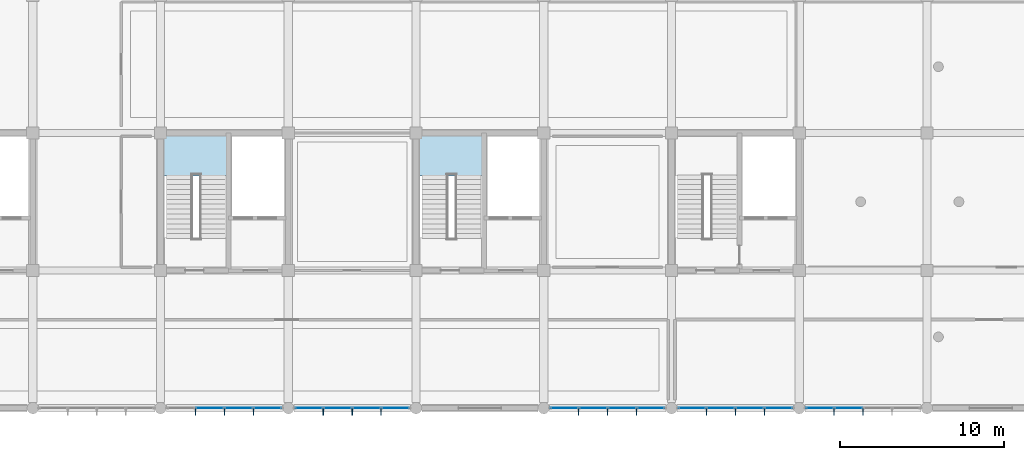
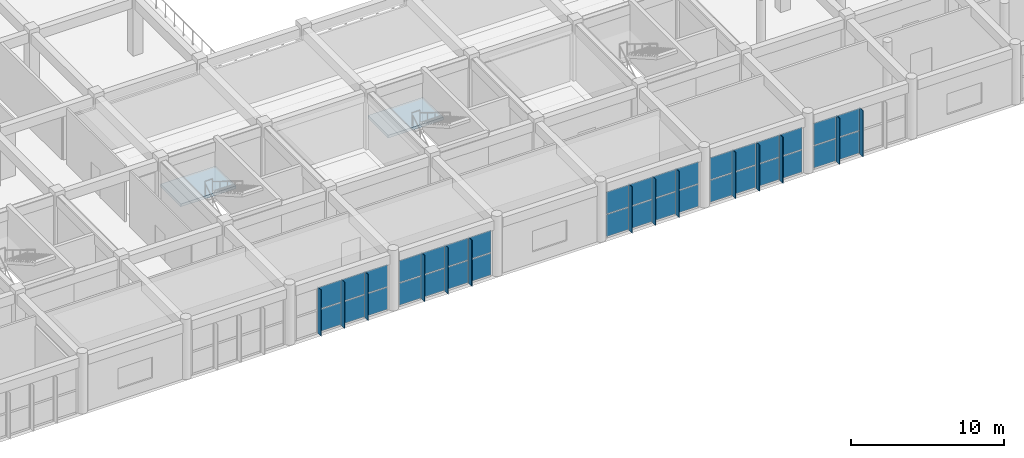
# One storey, part 136 of 175: 48 plates, 2 slabs, 7 elements without a shape of their own.
"""IFC4 building model written with IfcOpenShell, lengths in metres."""

from ifc_helpers import new_model, si_unit, direction, frame, origin, origin_2d, place, context, subcontext, project, spatial, polyline, rectangle, outline, extrude, material, layer, layer_set, type_object, element, aggregate, save


model = new_model("IFC4")

# Units and contexts
model_context = context("Model", 3, precision=1e-05, world=origin(), true_north=direction((0.0, 1.0)))
body_context = subcontext(model_context, "Body", "Model", "MODEL_VIEW")
ifc_project = project(units=[si_unit("LENGTHUNIT", "METRE"), si_unit("AREAUNIT", "SQUARE_METRE"), si_unit("VOLUMEUNIT", "CUBIC_METRE"), si_unit("PLANEANGLEUNIT", "RADIAN"), si_unit("MASSUNIT", "GRAM", prefix="KILO")], contexts=[model_context])

# Site, building, storey
site_placement = place(None, origin())
site = spatial("IfcSite", under=ifc_project, at=site_placement, CompositionType="ELEMENT")
building_placement = place(site_placement, origin())
building = spatial("IfcBuilding", under=site, at=building_placement, Name="Zizhar Promenade General Hospital", CompositionType="ELEMENT")
storey_placement = place(building_placement, frame((0.0, 0.0, 4.800048828125)))
storey = spatial("IfcBuildingStorey", under=building, at=storey_placement, Name="L01", CompositionType="ELEMENT", Elevation=4.800048828125)

# Curtain wall, plates
ifc_material_1 = material(Name="Anodised aluminium 6063-T6 and low-E glass", Category="aluminium")
ifc_layer_1 = layer(ifc_material_1, 0.159912109375)
ifc_layer_set_1 = layer_set([ifc_layer_1], Name="Anodised aluminium 6063-T6 and low-E glass")
curtain_wall_type = type_object("IfcCurtainWallType", Name="CW-DT-MOD1", PredefinedType="NOTDEFINED", material=ifc_layer_set_1)
curtain_wall_1_placement = place(storey_placement, origin())
curtain_wall_1 = element("IfcCurtainWall", 1, at=curtain_wall_1_placement, inside=storey, type_object=curtain_wall_type, Name="Riverfront Clinical Curtain Wall L01-7", PredefinedType="NOTDEFINED")
ifc_material_2 = material(Name="Low-E solar-control glass", Category="glass")
ifc_layer_2 = layer(ifc_material_2, 0.031982421875)
ifc_layer_set_2 = layer_set([ifc_layer_2], Name="Low-E solar-control glass")
plate_type_1 = type_object("IfcPlateType", Name="CWP-GLZ-32", PredefinedType="CURTAIN_PANEL", material=ifc_layer_set_2)
plate_1_placement = place(storey_placement, frame((68.93505859375, 0.0, 0.06005859375), z_axis=(0.0, 0.0, 1.0), x_axis=(-1.0, 0.0, 0.0)))
plate_1 = element("IfcPlate", 2, at=plate_1_placement, type_object=plate_type_1, Name="CW-07 panel 1.1", PredefinedType="CURTAIN_PANEL", context=body_context, shape_type="SweptSolid", body=[
    extrude(rectangle(XDim=1.64990234375, YDim=0.031982421875, at=origin_2d()), origin(), (0.0, 0.0, 1.0), 1.75),
])
plate_2_placement = place(storey_placement, frame((68.93505859375, 0.0, 1.869873046875), z_axis=(0.0, 0.0, 1.0), x_axis=(-1.0, 0.0, 0.0)))
plate_2 = element("IfcPlate", 3, at=plate_2_placement, type_object=plate_type_1, Name="CW-07 panel 1.2", PredefinedType="CURTAIN_PANEL", context=body_context, shape_type="SweptSolid", body=[
    extrude(rectangle(XDim=1.64990234375, YDim=0.031982421875, at=origin_2d()), origin(), (0.0, 0.0, 1.0), 1.75),
])
plate_3_placement = place(storey_placement, frame((67.18505859375, 0.0, 0.06005859375), z_axis=(0.0, 0.0, 1.0), x_axis=(-1.0, 0.0, 0.0)))
plate_3 = element("IfcPlate", 4, at=plate_3_placement, type_object=plate_type_1, Name="CW-07 panel 2.1", PredefinedType="CURTAIN_PANEL", context=body_context, shape_type="SweptSolid", body=[
    extrude(rectangle(XDim=1.68994140625, YDim=0.031982421875, at=origin_2d()), origin(), (0.0, 0.0, 1.0), 1.75),
])
plate_4_placement = place(storey_placement, frame((67.18505859375, 0.0, 1.869873046875), z_axis=(0.0, 0.0, 1.0), x_axis=(-1.0, 0.0, 0.0)))
plate_4 = element("IfcPlate", 5, at=plate_4_placement, type_object=plate_type_1, Name="CW-07 panel 2.2", PredefinedType="CURTAIN_PANEL", context=body_context, shape_type="SweptSolid", body=[
    extrude(rectangle(XDim=1.68994140625, YDim=0.031982421875, at=origin_2d()), origin(), (0.0, 0.0, 1.0), 1.75),
])
plate_5_placement = place(storey_placement, frame((65.4150390625, 0.0, 0.06005859375), z_axis=(0.0, 0.0, 1.0), x_axis=(-1.0, 0.0, 0.0)))
plate_5 = element("IfcPlate", 6, at=plate_5_placement, type_object=plate_type_1, Name="CW-07 panel 3.1", PredefinedType="CURTAIN_PANEL", context=body_context, shape_type="SweptSolid", body=[
    extrude(rectangle(XDim=1.68994140625, YDim=0.031982421875, at=origin_2d()), origin(), (0.0, 0.0, 1.0), 1.75),
])
plate_6_placement = place(storey_placement, frame((65.4150390625, 0.0, 1.869873046875), z_axis=(0.0, 0.0, 1.0), x_axis=(-1.0, 0.0, 0.0)))
plate_6 = element("IfcPlate", 7, at=plate_6_placement, type_object=plate_type_1, Name="CW-07 panel 3.2", PredefinedType="CURTAIN_PANEL", context=body_context, shape_type="SweptSolid", body=[
    extrude(rectangle(XDim=1.68994140625, YDim=0.031982421875, at=origin_2d()), origin(), (0.0, 0.0, 1.0), 1.75),
])
aggregate(curtain_wall_1, [plate_1, plate_2, plate_3, plate_4, plate_5, plate_6])

curtain_wall_2_placement = place(storey_placement, origin())
curtain_wall_2 = element("IfcCurtainWall", 8, at=curtain_wall_2_placement, inside=storey, type_object=curtain_wall_type, Name="Riverfront Clinical Curtain Wall L01-8", PredefinedType="NOTDEFINED")
plate_7_placement = place(storey_placement, frame((76.735107421875, 0.0, 0.06005859375), z_axis=(0.0, 0.0, 1.0), x_axis=(-1.0, 0.0, 0.0)))
plate_7 = element("IfcPlate", 9, at=plate_7_placement, type_object=plate_type_1, Name="CW-07 panel 1.1", PredefinedType="CURTAIN_PANEL", context=body_context, shape_type="SweptSolid", body=[
    extrude(rectangle(XDim=1.64990234375, YDim=0.031982421875, at=origin_2d()), origin(), (0.0, 0.0, 1.0), 1.75),
])
plate_8_placement = place(storey_placement, frame((76.735107421875, 0.0, 1.869873046875), z_axis=(0.0, 0.0, 1.0), x_axis=(-1.0, 0.0, 0.0)))
plate_8 = element("IfcPlate", 10, at=plate_8_placement, type_object=plate_type_1, Name="CW-07 panel 1.2", PredefinedType="CURTAIN_PANEL", context=body_context, shape_type="SweptSolid", body=[
    extrude(rectangle(XDim=1.64990234375, YDim=0.031982421875, at=origin_2d()), origin(), (0.0, 0.0, 1.0), 1.75),
])
plate_9_placement = place(storey_placement, frame((74.985107421875, 0.0, 0.06005859375), z_axis=(0.0, 0.0, 1.0), x_axis=(-1.0, 0.0, 0.0)))
plate_9 = element("IfcPlate", 11, at=plate_9_placement, type_object=plate_type_1, Name="CW-07 panel 2.1", PredefinedType="CURTAIN_PANEL", context=body_context, shape_type="SweptSolid", body=[
    extrude(rectangle(XDim=1.68994140625, YDim=0.031982421875, at=origin_2d()), origin(), (0.0, 0.0, 1.0), 1.75),
])
plate_10_placement = place(storey_placement, frame((74.985107421875, 0.0, 1.869873046875), z_axis=(0.0, 0.0, 1.0), x_axis=(-1.0, 0.0, 0.0)))
plate_10 = element("IfcPlate", 12, at=plate_10_placement, type_object=plate_type_1, Name="CW-07 panel 2.2", PredefinedType="CURTAIN_PANEL", context=body_context, shape_type="SweptSolid", body=[
    extrude(rectangle(XDim=1.68994140625, YDim=0.031982421875, at=origin_2d()), origin(), (0.0, 0.0, 1.0), 1.75),
])
plate_11_placement = place(storey_placement, frame((73.215087890625, 0.0, 0.06005859375), z_axis=(0.0, 0.0, 1.0), x_axis=(-1.0, 0.0, 0.0)))
plate_11 = element("IfcPlate", 13, at=plate_11_placement, type_object=plate_type_1, Name="CW-07 panel 3.1", PredefinedType="CURTAIN_PANEL", context=body_context, shape_type="SweptSolid", body=[
    extrude(rectangle(XDim=1.68994140625, YDim=0.031982421875, at=origin_2d()), origin(), (0.0, 0.0, 1.0), 1.75),
])
plate_12_placement = place(storey_placement, frame((73.215087890625, 0.0, 1.869873046875), z_axis=(0.0, 0.0, 1.0), x_axis=(-1.0, 0.0, 0.0)))
plate_12 = element("IfcPlate", 14, at=plate_12_placement, type_object=plate_type_1, Name="CW-07 panel 3.2", PredefinedType="CURTAIN_PANEL", context=body_context, shape_type="SweptSolid", body=[
    extrude(rectangle(XDim=1.68994140625, YDim=0.031982421875, at=origin_2d()), origin(), (0.0, 0.0, 1.0), 1.75),
])
plate_13_placement = place(storey_placement, frame((71.465087890625, 0.0, 0.06005859375), z_axis=(0.0, 0.0, 1.0), x_axis=(-1.0, 0.0, 0.0)))
plate_13 = element("IfcPlate", 15, at=plate_13_placement, type_object=plate_type_1, Name="CW-07 panel 4.1", PredefinedType="CURTAIN_PANEL", context=body_context, shape_type="SweptSolid", body=[
    extrude(rectangle(XDim=1.64990234375, YDim=0.031982421875, at=origin_2d()), origin(), (0.0, 0.0, 1.0), 1.75),
])
plate_14_placement = place(storey_placement, frame((71.465087890625, 0.0, 1.869873046875), z_axis=(0.0, 0.0, 1.0), x_axis=(-1.0, 0.0, 0.0)))
plate_14 = element("IfcPlate", 16, at=plate_14_placement, type_object=plate_type_1, Name="CW-07 panel 4.2", PredefinedType="CURTAIN_PANEL", context=body_context, shape_type="SweptSolid", body=[
    extrude(rectangle(XDim=1.64990234375, YDim=0.031982421875, at=origin_2d()), origin(), (0.0, 0.0, 1.0), 1.75),
])
aggregate(curtain_wall_2, [plate_7, plate_8, plate_9, plate_10, plate_11, plate_12, plate_13, plate_14])

curtain_wall_3_placement = place(storey_placement, origin())
curtain_wall_3 = element("IfcCurtainWall", 17, at=curtain_wall_3_placement, inside=storey, type_object=curtain_wall_type, Name="Riverfront Clinical Curtain Wall L01-10", PredefinedType="NOTDEFINED")
plate_15_placement = place(storey_placement, frame((92.3349609375, 0.0, 0.06005859375), z_axis=(0.0, 0.0, 1.0), x_axis=(-1.0, 0.0, 0.0)))
plate_15 = element("IfcPlate", 18, at=plate_15_placement, type_object=plate_type_1, Name="CW-07 panel 1.1", PredefinedType="CURTAIN_PANEL", context=body_context, shape_type="SweptSolid", body=[
    extrude(rectangle(XDim=1.64990234375, YDim=0.031982421875, at=origin_2d()), origin(), (0.0, 0.0, 1.0), 1.75),
])
plate_16_placement = place(storey_placement, frame((92.3349609375, 0.0, 1.869873046875), z_axis=(0.0, 0.0, 1.0), x_axis=(-1.0, 0.0, 0.0)))
plate_16 = element("IfcPlate", 19, at=plate_16_placement, type_object=plate_type_1, Name="CW-07 panel 1.2", PredefinedType="CURTAIN_PANEL", context=body_context, shape_type="SweptSolid", body=[
    extrude(rectangle(XDim=1.64990234375, YDim=0.031982421875, at=origin_2d()), origin(), (0.0, 0.0, 1.0), 1.75),
])
plate_17_placement = place(storey_placement, frame((90.5849609375, 0.0, 0.06005859375), z_axis=(0.0, 0.0, 1.0), x_axis=(-1.0, 0.0, 0.0)))
plate_17 = element("IfcPlate", 20, at=plate_17_placement, type_object=plate_type_1, Name="CW-07 panel 2.1", PredefinedType="CURTAIN_PANEL", context=body_context, shape_type="SweptSolid", body=[
    extrude(rectangle(XDim=1.68994140625, YDim=0.031982421875, at=origin_2d()), origin(), (0.0, 0.0, 1.0), 1.75),
])
plate_18_placement = place(storey_placement, frame((90.5849609375, 0.0, 1.869873046875), z_axis=(0.0, 0.0, 1.0), x_axis=(-1.0, 0.0, 0.0)))
plate_18 = element("IfcPlate", 21, at=plate_18_placement, type_object=plate_type_1, Name="CW-07 panel 2.2", PredefinedType="CURTAIN_PANEL", context=body_context, shape_type="SweptSolid", body=[
    extrude(rectangle(XDim=1.68994140625, YDim=0.031982421875, at=origin_2d()), origin(), (0.0, 0.0, 1.0), 1.75),
])
plate_19_placement = place(storey_placement, frame((88.81494140625, 0.0, 0.06005859375), z_axis=(0.0, 0.0, 1.0), x_axis=(-1.0, 0.0, 0.0)))
plate_19 = element("IfcPlate", 22, at=plate_19_placement, type_object=plate_type_1, Name="CW-07 panel 3.1", PredefinedType="CURTAIN_PANEL", context=body_context, shape_type="SweptSolid", body=[
    extrude(rectangle(XDim=1.68994140625, YDim=0.031982421875, at=origin_2d()), origin(), (0.0, 0.0, 1.0), 1.75),
])
plate_20_placement = place(storey_placement, frame((88.81494140625, 0.0, 1.869873046875), z_axis=(0.0, 0.0, 1.0), x_axis=(-1.0, 0.0, 0.0)))
plate_20 = element("IfcPlate", 23, at=plate_20_placement, type_object=plate_type_1, Name="CW-07 panel 3.2", PredefinedType="CURTAIN_PANEL", context=body_context, shape_type="SweptSolid", body=[
    extrude(rectangle(XDim=1.68994140625, YDim=0.031982421875, at=origin_2d()), origin(), (0.0, 0.0, 1.0), 1.75),
])
plate_21_placement = place(storey_placement, frame((87.06494140625, 0.0, 0.06005859375), z_axis=(0.0, 0.0, 1.0), x_axis=(-1.0, 0.0, 0.0)))
plate_21 = element("IfcPlate", 24, at=plate_21_placement, type_object=plate_type_1, Name="CW-07 panel 4.1", PredefinedType="CURTAIN_PANEL", context=body_context, shape_type="SweptSolid", body=[
    extrude(rectangle(XDim=1.64990234375, YDim=0.031982421875, at=origin_2d()), origin(), (0.0, 0.0, 1.0), 1.75),
])
plate_22_placement = place(storey_placement, frame((87.06494140625, 0.0, 1.869873046875), z_axis=(0.0, 0.0, 1.0), x_axis=(-1.0, 0.0, 0.0)))
plate_22 = element("IfcPlate", 25, at=plate_22_placement, type_object=plate_type_1, Name="CW-07 panel 4.2", PredefinedType="CURTAIN_PANEL", context=body_context, shape_type="SweptSolid", body=[
    extrude(rectangle(XDim=1.64990234375, YDim=0.031982421875, at=origin_2d()), origin(), (0.0, 0.0, 1.0), 1.75),
])
aggregate(curtain_wall_3, [plate_15, plate_16, plate_17, plate_18, plate_19, plate_20, plate_21, plate_22])

curtain_wall_4_placement = place(storey_placement, origin())
curtain_wall_4 = element("IfcCurtainWall", 26, at=curtain_wall_4_placement, inside=storey, type_object=curtain_wall_type, Name="Riverfront Clinical Curtain Wall L01-11", PredefinedType="NOTDEFINED")
plate_23_placement = place(storey_placement, frame((100.135009765625, 0.0, 0.06005859375), z_axis=(0.0, 0.0, 1.0), x_axis=(-1.0, 0.0, 0.0)))
plate_23 = element("IfcPlate", 27, at=plate_23_placement, type_object=plate_type_1, Name="CW-07 panel 1.1", PredefinedType="CURTAIN_PANEL", context=body_context, shape_type="SweptSolid", body=[
    extrude(rectangle(XDim=1.64990234375, YDim=0.031982421875, at=origin_2d()), origin(), (0.0, 0.0, 1.0), 1.75),
])
plate_24_placement = place(storey_placement, frame((100.135009765625, 0.0, 1.869873046875), z_axis=(0.0, 0.0, 1.0), x_axis=(-1.0, 0.0, 0.0)))
plate_24 = element("IfcPlate", 28, at=plate_24_placement, type_object=plate_type_1, Name="CW-07 panel 1.2", PredefinedType="CURTAIN_PANEL", context=body_context, shape_type="SweptSolid", body=[
    extrude(rectangle(XDim=1.64990234375, YDim=0.031982421875, at=origin_2d()), origin(), (0.0, 0.0, 1.0), 1.75),
])
plate_25_placement = place(storey_placement, frame((98.385009765625, 0.0, 0.06005859375), z_axis=(0.0, 0.0, 1.0), x_axis=(-1.0, 0.0, 0.0)))
plate_25 = element("IfcPlate", 29, at=plate_25_placement, type_object=plate_type_1, Name="CW-07 panel 2.1", PredefinedType="CURTAIN_PANEL", context=body_context, shape_type="SweptSolid", body=[
    extrude(rectangle(XDim=1.68994140625, YDim=0.031982421875, at=origin_2d()), origin(), (0.0, 0.0, 1.0), 1.75),
])
plate_26_placement = place(storey_placement, frame((98.385009765625, 0.0, 1.869873046875), z_axis=(0.0, 0.0, 1.0), x_axis=(-1.0, 0.0, 0.0)))
plate_26 = element("IfcPlate", 30, at=plate_26_placement, type_object=plate_type_1, Name="CW-07 panel 2.2", PredefinedType="CURTAIN_PANEL", context=body_context, shape_type="SweptSolid", body=[
    extrude(rectangle(XDim=1.68994140625, YDim=0.031982421875, at=origin_2d()), origin(), (0.0, 0.0, 1.0), 1.75),
])
plate_27_placement = place(storey_placement, frame((96.614990234375, 0.0, 0.06005859375), z_axis=(0.0, 0.0, 1.0), x_axis=(-1.0, 0.0, 0.0)))
plate_27 = element("IfcPlate", 31, at=plate_27_placement, type_object=plate_type_1, Name="CW-07 panel 3.1", PredefinedType="CURTAIN_PANEL", context=body_context, shape_type="SweptSolid", body=[
    extrude(rectangle(XDim=1.68994140625, YDim=0.031982421875, at=origin_2d()), origin(), (0.0, 0.0, 1.0), 1.75),
])
plate_28_placement = place(storey_placement, frame((96.614990234375, 0.0, 1.869873046875), z_axis=(0.0, 0.0, 1.0), x_axis=(-1.0, 0.0, 0.0)))
plate_28 = element("IfcPlate", 32, at=plate_28_placement, type_object=plate_type_1, Name="CW-07 panel 3.2", PredefinedType="CURTAIN_PANEL", context=body_context, shape_type="SweptSolid", body=[
    extrude(rectangle(XDim=1.68994140625, YDim=0.031982421875, at=origin_2d()), origin(), (0.0, 0.0, 1.0), 1.75),
])
plate_29_placement = place(storey_placement, frame((94.864990234375, 0.0, 0.06005859375), z_axis=(0.0, 0.0, 1.0), x_axis=(-1.0, 0.0, 0.0)))
plate_29 = element("IfcPlate", 33, at=plate_29_placement, type_object=plate_type_1, Name="CW-07 panel 4.1", PredefinedType="CURTAIN_PANEL", context=body_context, shape_type="SweptSolid", body=[
    extrude(rectangle(XDim=1.64990234375, YDim=0.031982421875, at=origin_2d()), origin(), (0.0, 0.0, 1.0), 1.75),
])
plate_30_placement = place(storey_placement, frame((94.864990234375, 0.0, 1.869873046875), z_axis=(0.0, 0.0, 1.0), x_axis=(-1.0, 0.0, 0.0)))
plate_30 = element("IfcPlate", 34, at=plate_30_placement, type_object=plate_type_1, Name="CW-07 panel 4.2", PredefinedType="CURTAIN_PANEL", context=body_context, shape_type="SweptSolid", body=[
    extrude(rectangle(XDim=1.64990234375, YDim=0.031982421875, at=origin_2d()), origin(), (0.0, 0.0, 1.0), 1.75),
])
aggregate(curtain_wall_4, [plate_23, plate_24, plate_25, plate_26, plate_27, plate_28, plate_29, plate_30])

curtain_wall_5_placement = place(storey_placement, origin())
curtain_wall_5 = element("IfcCurtainWall", 35, at=curtain_wall_5_placement, inside=storey, type_object=curtain_wall_type, Name="Riverfront Clinical Curtain Wall L01-12", PredefinedType="NOTDEFINED")
plate_31_placement = place(storey_placement, frame((104.4150390625, 0.0, 0.06005859375), z_axis=(0.0, 0.0, 1.0), x_axis=(-1.0, 0.0, 0.0)))
plate_31 = element("IfcPlate", 36, at=plate_31_placement, type_object=plate_type_1, Name="CW-07 panel 3.1", PredefinedType="CURTAIN_PANEL", context=body_context, shape_type="SweptSolid", body=[
    extrude(rectangle(XDim=1.68994140625, YDim=0.031982421875, at=origin_2d()), origin(), (0.0, 0.0, 1.0), 1.75),
])
plate_32_placement = place(storey_placement, frame((104.4150390625, 0.0, 1.869873046875), z_axis=(0.0, 0.0, 1.0), x_axis=(-1.0, 0.0, 0.0)))
plate_32 = element("IfcPlate", 37, at=plate_32_placement, type_object=plate_type_1, Name="CW-07 panel 3.2", PredefinedType="CURTAIN_PANEL", context=body_context, shape_type="SweptSolid", body=[
    extrude(rectangle(XDim=1.68994140625, YDim=0.031982421875, at=origin_2d()), origin(), (0.0, 0.0, 1.0), 1.75),
])
plate_33_placement = place(storey_placement, frame((102.6650390625, 0.0, 0.06005859375), z_axis=(0.0, 0.0, 1.0), x_axis=(-1.0, 0.0, 0.0)))
plate_33 = element("IfcPlate", 38, at=plate_33_placement, type_object=plate_type_1, Name="CW-07 panel 4.1", PredefinedType="CURTAIN_PANEL", context=body_context, shape_type="SweptSolid", body=[
    extrude(rectangle(XDim=1.64990234375, YDim=0.031982421875, at=origin_2d()), origin(), (0.0, 0.0, 1.0), 1.75),
])
plate_34_placement = place(storey_placement, frame((102.6650390625, 0.0, 1.869873046875), z_axis=(0.0, 0.0, 1.0), x_axis=(-1.0, 0.0, 0.0)))
plate_34 = element("IfcPlate", 39, at=plate_34_placement, type_object=plate_type_1, Name="CW-07 panel 4.2", PredefinedType="CURTAIN_PANEL", context=body_context, shape_type="SweptSolid", body=[
    extrude(rectangle(XDim=1.64990234375, YDim=0.031982421875, at=origin_2d()), origin(), (0.0, 0.0, 1.0), 1.75),
])
aggregate(curtain_wall_5, [plate_31, plate_32, plate_33, plate_34])

# Plates
ifc_material_3 = material(Name="Anodised aluminium 6063-T6", Category="aluminium")
ifc_layer_3 = layer(ifc_material_3, 0.0400390625)
ifc_layer_set_3 = layer_set([ifc_layer_3], Name="Anodised aluminium 6063-T6")
plate_type_2 = type_object("IfcPlateType", Name="FIN-ALU-450", PredefinedType="USERDEFINED", material=ifc_layer_set_3)
plate_35_placement = place(storey_placement, origin())
element("IfcPlate", 40, at=plate_35_placement, inside=storey, type_object=plate_type_2, Name="Riverfront Clinical Curtain Wall L01-7 Solar Fin 1", ObjectType="SOLAR_SHADE", PredefinedType="USERDEFINED", context=body_context, shape_type="SweptSolid", body=[
    extrude(outline(polyline([(68.090087890625, 0.0), (68.050048828125, 0.0), (68.050048828125, -0.449951171875), (68.090087890625, -0.449951171875), (68.090087890625, 0.0)])), origin(), (0.0, 0.0, 1.0), 3.679931640625),
])
plate_36_placement = place(storey_placement, origin())
element("IfcPlate", 41, at=plate_36_placement, inside=storey, type_object=plate_type_2, Name="Riverfront Clinical Curtain Wall L01-7 Solar Fin 2", ObjectType="SOLAR_SHADE", PredefinedType="USERDEFINED", context=body_context, shape_type="SweptSolid", body=[
    extrude(outline(polyline([(66.320068359375, 0.0), (66.280029296875, 0.0), (66.280029296875, -0.449951171875), (66.320068359375, -0.449951171875), (66.320068359375, 0.0)])), origin(), (0.0, 0.0, 1.0), 3.679931640625),
])
plate_37_placement = place(storey_placement, origin())
element("IfcPlate", 42, at=plate_37_placement, inside=storey, type_object=plate_type_2, Name="Riverfront Clinical Curtain Wall L01-7 Solar Fin 3", ObjectType="SOLAR_SHADE", PredefinedType="USERDEFINED", context=body_context, shape_type="SweptSolid", body=[
    extrude(outline(polyline([(64.550048828125, 0.0), (64.510009765625, 0.0), (64.510009765625, -0.449951171875), (64.550048828125, -0.449951171875), (64.550048828125, 0.0)])), origin(), (0.0, 0.0, 1.0), 3.679931640625),
])
plate_38_placement = place(storey_placement, origin())
element("IfcPlate", 43, at=plate_38_placement, inside=storey, type_object=plate_type_2, Name="Riverfront Clinical Curtain Wall L01-8 Solar Fin 1", ObjectType="SOLAR_SHADE", PredefinedType="USERDEFINED", context=body_context, shape_type="SweptSolid", body=[
    extrude(outline(polyline([(75.889892578125, 0.0), (75.85009765625, 0.0), (75.85009765625, -0.449951171875), (75.889892578125, -0.449951171875), (75.889892578125, 0.0)])), origin(), (0.0, 0.0, 1.0), 3.679931640625),
])
plate_39_placement = place(storey_placement, origin())
element("IfcPlate", 44, at=plate_39_placement, inside=storey, type_object=plate_type_2, Name="Riverfront Clinical Curtain Wall L01-8 Solar Fin 2", ObjectType="SOLAR_SHADE", PredefinedType="USERDEFINED", context=body_context, shape_type="SweptSolid", body=[
    extrude(outline(polyline([(74.1201171875, 0.0), (74.080078125, 0.0), (74.080078125, -0.449951171875), (74.1201171875, -0.449951171875), (74.1201171875, 0.0)])), origin(), (0.0, 0.0, 1.0), 3.679931640625),
])
plate_40_placement = place(storey_placement, origin())
element("IfcPlate", 45, at=plate_40_placement, inside=storey, type_object=plate_type_2, Name="Riverfront Clinical Curtain Wall L01-8 Solar Fin 3", ObjectType="SOLAR_SHADE", PredefinedType="USERDEFINED", context=body_context, shape_type="SweptSolid", body=[
    extrude(outline(polyline([(72.35009765625, 0.0), (72.31005859375, 0.0), (72.31005859375, -0.449951171875), (72.35009765625, -0.449951171875), (72.35009765625, 0.0)])), origin(), (0.0, 0.0, 1.0), 3.679931640625),
])
plate_41_placement = place(storey_placement, origin())
element("IfcPlate", 46, at=plate_41_placement, inside=storey, type_object=plate_type_2, Name="Riverfront Clinical Curtain Wall L01-10 Solar Fin 1", ObjectType="SOLAR_SHADE", PredefinedType="USERDEFINED", context=body_context, shape_type="SweptSolid", body=[
    extrude(outline(polyline([(91.489990234375, 0.0), (91.449951171875, 0.0), (91.449951171875, -0.449951171875), (91.489990234375, -0.449951171875), (91.489990234375, 0.0)])), origin(), (0.0, 0.0, 1.0), 3.679931640625),
])
plate_42_placement = place(storey_placement, origin())
element("IfcPlate", 47, at=plate_42_placement, inside=storey, type_object=plate_type_2, Name="Riverfront Clinical Curtain Wall L01-10 Solar Fin 2", ObjectType="SOLAR_SHADE", PredefinedType="USERDEFINED", context=body_context, shape_type="SweptSolid", body=[
    extrude(outline(polyline([(89.719970703125, 0.0), (89.679931640625, 0.0), (89.679931640625, -0.449951171875), (89.719970703125, -0.449951171875), (89.719970703125, 0.0)])), origin(), (0.0, 0.0, 1.0), 3.679931640625),
])
plate_43_placement = place(storey_placement, origin())
element("IfcPlate", 48, at=plate_43_placement, inside=storey, type_object=plate_type_2, Name="Riverfront Clinical Curtain Wall L01-10 Solar Fin 3", ObjectType="SOLAR_SHADE", PredefinedType="USERDEFINED", context=body_context, shape_type="SweptSolid", body=[
    extrude(outline(polyline([(87.949951171875, 0.0), (87.909912109375, 0.0), (87.909912109375, -0.449951171875), (87.949951171875, -0.449951171875), (87.949951171875, 0.0)])), origin(), (0.0, 0.0, 1.0), 3.679931640625),
])
plate_44_placement = place(storey_placement, origin())
element("IfcPlate", 49, at=plate_44_placement, inside=storey, type_object=plate_type_2, Name="Riverfront Clinical Curtain Wall L01-11 Solar Fin 1", ObjectType="SOLAR_SHADE", PredefinedType="USERDEFINED", context=body_context, shape_type="SweptSolid", body=[
    extrude(outline(polyline([(99.2900390625, 0.0), (99.25, 0.0), (99.25, -0.449951171875), (99.2900390625, -0.449951171875), (99.2900390625, 0.0)])), origin(), (0.0, 0.0, 1.0), 3.679931640625),
])
plate_45_placement = place(storey_placement, origin())
element("IfcPlate", 50, at=plate_45_placement, inside=storey, type_object=plate_type_2, Name="Riverfront Clinical Curtain Wall L01-11 Solar Fin 2", ObjectType="SOLAR_SHADE", PredefinedType="USERDEFINED", context=body_context, shape_type="SweptSolid", body=[
    extrude(outline(polyline([(97.52001953125, 0.0), (97.47998046875, 0.0), (97.47998046875, -0.449951171875), (97.52001953125, -0.449951171875), (97.52001953125, 0.0)])), origin(), (0.0, 0.0, 1.0), 3.679931640625),
])
plate_46_placement = place(storey_placement, origin())
element("IfcPlate", 51, at=plate_46_placement, inside=storey, type_object=plate_type_2, Name="Riverfront Clinical Curtain Wall L01-11 Solar Fin 3", ObjectType="SOLAR_SHADE", PredefinedType="USERDEFINED", context=body_context, shape_type="SweptSolid", body=[
    extrude(outline(polyline([(95.75, 0.0), (95.7099609375, 0.0), (95.7099609375, -0.449951171875), (95.75, -0.449951171875), (95.75, 0.0)])), origin(), (0.0, 0.0, 1.0), 3.679931640625),
])
plate_47_placement = place(storey_placement, origin())
element("IfcPlate", 52, at=plate_47_placement, inside=storey, type_object=plate_type_2, Name="Riverfront Clinical Curtain Wall L01-12 Solar Fin 2", ObjectType="SOLAR_SHADE", PredefinedType="USERDEFINED", context=body_context, shape_type="SweptSolid", body=[
    extrude(outline(polyline([(105.320068359375, 0.0), (105.280029296875, 0.0), (105.280029296875, -0.449951171875), (105.320068359375, -0.449951171875), (105.320068359375, 0.0)])), origin(), (0.0, 0.0, 1.0), 3.679931640625),
])
plate_48_placement = place(storey_placement, origin())
element("IfcPlate", 53, at=plate_48_placement, inside=storey, type_object=plate_type_2, Name="Riverfront Clinical Curtain Wall L01-12 Solar Fin 3", ObjectType="SOLAR_SHADE", PredefinedType="USERDEFINED", context=body_context, shape_type="SweptSolid", body=[
    extrude(outline(polyline([(103.550048828125, 0.0), (103.510009765625, 0.0), (103.510009765625, -0.449951171875), (103.550048828125, -0.449951171875), (103.550048828125, 0.0)])), origin(), (0.0, 0.0, 1.0), 3.679931640625),
])

# Stair, slab
ifc_material_4 = material(Name="Concrete C35/45", Category="concrete")
stair_type = type_object("IfcStairType", Name="STR-DOG-480", PredefinedType="HALF_TURN_STAIR", material=ifc_material_4)
stair_1_placement = place(storey_placement, origin())
stair_1 = element("IfcStair", 54, at=stair_1_placement, inside=storey, type_object=stair_type, Name="Exit Stair ST-03 (L01 to L02)", PredefinedType="HALF_TURN_STAIR")
ifc_material_5 = material(Name="Concrete C35/45", Category="concrete")
ifc_layer_4 = layer(ifc_material_5, 0.219970703125)
ifc_layer_set_4 = layer_set([ifc_layer_4], Name="Concrete C35/45")
slab_type = type_object("IfcSlabType", Name="SLB-LAND-480", PredefinedType="LANDING", material=ifc_layer_set_4)
slab_1_placement = place(storey_placement, frame((0.0, 0.0, 2.179931640625)))
slab_1 = element("IfcSlab", 55, at=slab_1_placement, type_object=slab_type, Name="ST-03A landing 1", PredefinedType="LANDING", context=body_context, shape_type="SweptSolid", body=[
    extrude(outline(polyline([(62.39990234375, 14.169921875), (66.550048828125, 14.169921875), (66.550048828125, 16.800048828125), (62.39990234375, 16.800048828125), (62.39990234375, 14.169921875)])), origin(), (0.0, 0.0, 1.0), 0.219970703125),
])
aggregate(stair_1, [slab_1])

stair_2_placement = place(storey_placement, origin())
stair_2 = element("IfcStair", 56, at=stair_2_placement, inside=storey, type_object=stair_type, Name="Exit Stair ST-04 (L01 to L02)", PredefinedType="HALF_TURN_STAIR")
slab_2_placement = place(storey_placement, frame((0.0, 0.0, 2.179931640625)))
slab_2 = element("IfcSlab", 57, at=slab_2_placement, type_object=slab_type, Name="ST-04A landing 1", PredefinedType="LANDING", context=body_context, shape_type="SweptSolid", body=[
    extrude(outline(polyline([(78.0, 14.169921875), (82.14990234375, 14.169921875), (82.14990234375, 16.800048828125), (78.0, 16.800048828125), (78.0, 14.169921875)])), origin(), (0.0, 0.0, 1.0), 0.219970703125),
])
aggregate(stair_2, [slab_2])

save(model, "model.ifc")
